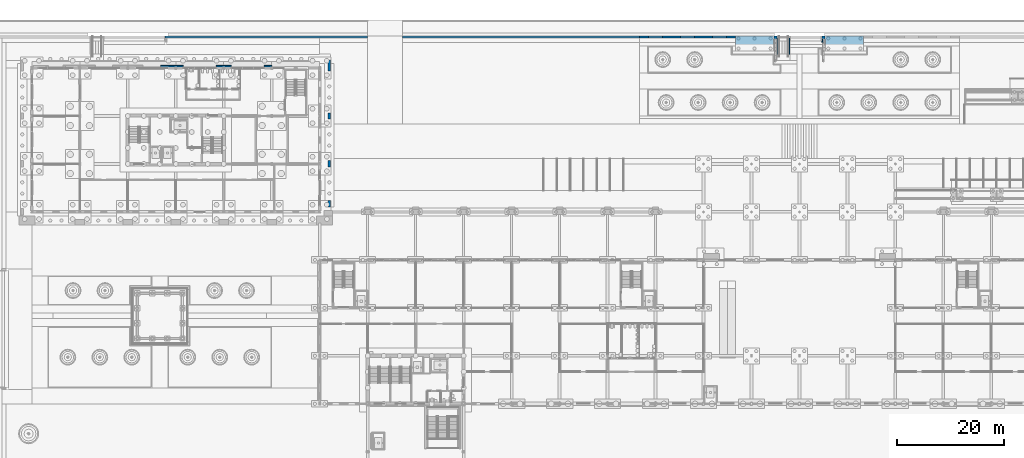
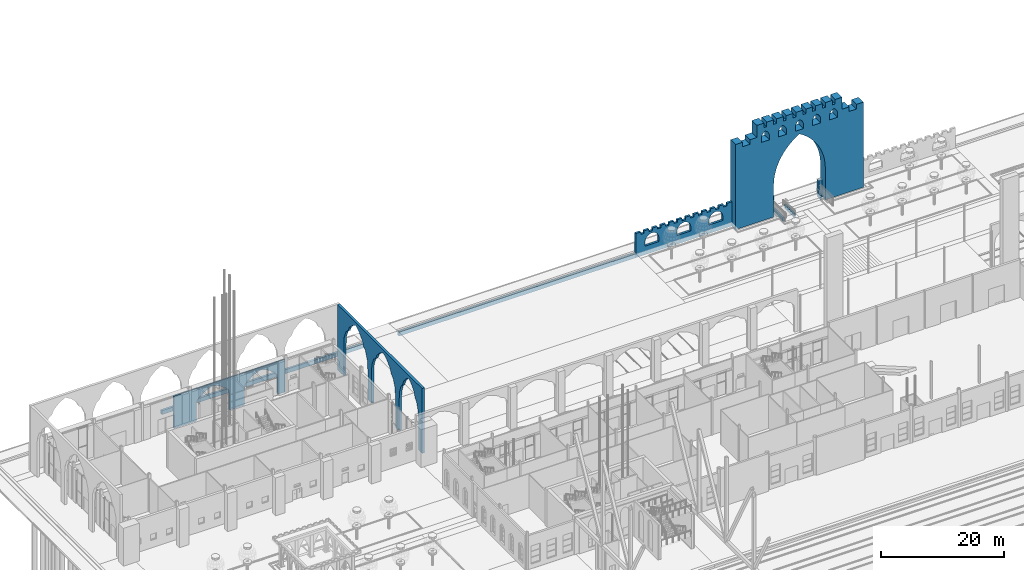
# One storey, part 138 of 250: 11 walls.
"""IFC4 building model written with IfcOpenShell, lengths in metres."""

from ifc_helpers import new_model, si_unit, direction, frame, frame_2d, origin, place, context, subcontext, project, spatial, polyline, rectangle, outline, extrude, material, layer, layer_set, type_object, element, save


model = new_model("IFC4")

# Units and contexts
model_context = context("Model", 3, precision=1e-05, world=origin(), true_north=direction((0.0, 1.0)))
body_context = subcontext(model_context, "Body", "Model", "MODEL_VIEW")
ifc_project = project(units=[si_unit("LENGTHUNIT", "METRE"), si_unit("AREAUNIT", "SQUARE_METRE"), si_unit("VOLUMEUNIT", "CUBIC_METRE"), si_unit("PLANEANGLEUNIT", "RADIAN"), si_unit("MASSUNIT", "GRAM", prefix="KILO")], contexts=[model_context])

# Site, building, storey
site_placement = place(None, origin())
site = spatial("IfcSite", under=ifc_project, at=site_placement, CompositionType="ELEMENT")
building_placement = place(site_placement, origin())
building = spatial("IfcBuilding", under=site, at=building_placement, Name="Baradari Gate Terminus", CompositionType="ELEMENT")
storey_placement = place(building_placement, origin())
storey = spatial("IfcBuildingStorey", under=building, at=storey_placement, Name="L00", CompositionType="ELEMENT", Elevation=0.0)

# Walls
ifc_material_1 = material(Name="Sandstone masonry", Category="masonry")
ifc_layer_1 = layer(ifc_material_1, 0.60009765625)
ifc_layer_set_1 = layer_set([ifc_layer_1], Name="Sandstone masonry")
wall_type_1 = type_object("IfcWallType", Name="Gate pier GP-1 600", PredefinedType="SOLIDWALL", material=ifc_layer_set_1)
for number, where, z_axis, x_axis, name in (
    (1, (148.199951171875, 149.699951171875, -0.800048828125), (0.0, 0.0, 1.0), (1.0, 0.0, 0.0), "Gate pier GN1 a"),
    (2, (157.199951171875, 149.699951171875, -0.800048828125), (0.0, 0.0, 1.0), (1.0, 0.0, 0.0), "Gate pier GN1 b"),
):
    element("IfcWall", number, at=place(storey_placement, frame(where, z_axis=z_axis, x_axis=x_axis)), inside=storey, type_object=wall_type_1, Name=name, PredefinedType="SOLIDWALL", context=body_context, shape_type="SweptSolid", body=[
        extrude(rectangle(XDim=0.60009765625, YDim=0.60009765625, at=frame_2d((0.300048828125, 0.0))), origin(), (0.0, 0.0, 1.0), 3.400146484375),
    ])
ifc_material_2 = material(Name="Laterite masonry", Category="masonry")
ifc_layer_2 = layer(ifc_material_2, 0.449951171875)
ifc_layer_set_2 = layer_set([ifc_layer_2], Name="Laterite masonry")
wall_type_2 = type_object("IfcWallType", Name="Laterite masonry pier WC-1 450", PredefinedType="SOLIDWALL", material=ifc_layer_set_2)
wall_1_placement = place(storey_placement, frame((64.800048828125, 117.949951171875, 0.0), z_axis=(0.0, 0.0, 1.0), x_axis=(0.0, 1.0, 0.0)))
element("IfcWall", 3, at=wall_1_placement, inside=storey, type_object=wall_type_2, Name="Operations block arcade east screen 1", PredefinedType="SOLIDWALL", context=body_context, shape_type="SweptSolid", body=[
    extrude(outline(polyline([(1.199951171875, 0.0), (1.199951171875, 6.0), (1.324951171875, 7.763916015625), (1.824951171875, 9.27587890625), (2.262451171875, 9.654052734375), (2.637451171875, 10.662109375), (3.449951171875, 11.669921875), (4.324951171875, 12.300048828125), (5.199951171875, 11.669921875), (6.012451171875, 10.662109375), (6.387451171875, 9.654052734375), (6.824951171875, 9.27587890625), (7.324951171875, 7.763916015625), (7.449951171875, 6.0), (7.449951171875, 0.0), (8.64990234375, 0.0), (8.64990234375, 6.0), (8.805908203125, 7.763916015625), (9.429931640625, 9.27587890625), (9.97607421875, 9.654052734375), (10.444091796875, 10.662109375), (11.4580078125, 11.669921875), (12.550048828125, 12.300048828125), (13.64208984375, 11.669921875), (14.656005859375, 10.662109375), (15.1240234375, 9.654052734375), (15.669921875, 9.27587890625), (16.2939453125, 7.763916015625), (16.449951171875, 6.0), (16.449951171875, 0.0), (17.64990234375, 0.0), (17.64990234375, 6.0), (17.805908203125, 7.763916015625), (18.429931640625, 9.27587890625), (18.97607421875, 9.654052734375), (19.444091796875, 10.662109375), (20.4580078125, 11.669921875), (21.550048828125, 12.300048828125), (22.64208984375, 11.669921875), (23.656005859375, 10.662109375), (24.1240234375, 9.654052734375), (24.669921875, 9.27587890625), (25.2939453125, 7.763916015625), (25.449951171875, 6.0), (25.449951171875, 0.0), (27.52490234375, 0.0), (27.52490234375, 12.89990234375), (0.0, 12.89990234375), (0.0, 0.0), (1.199951171875, 0.0)])), frame((0.0, 0.22509765625, 0.0), z_axis=(0.0, -1.0, 0.0), x_axis=(1.0, 0.0, 0.0)), (0.0, 0.0, 1.0), 0.449951171875),
])
ifc_material_3 = material(Name="Laterite masonry", Category="masonry")
ifc_layer_3 = layer(ifc_material_3, 0.25)
ifc_layer_set_3 = layer_set([ifc_layer_3], Name="Laterite masonry")
wall_type_3 = type_object("IfcWallType", Name="Laterite masonry wall WP-1 250", PredefinedType="SOLIDWALL", material=ifc_layer_set_3)
wall_2_placement = place(storey_placement, frame((33.14990234375, 144.35009765625, 0.0), z_axis=(0.0, 0.0, 1.0), x_axis=(1.0, 0.0, 0.0)))
element("IfcWall", 4, at=wall_2_placement, inside=storey, type_object=wall_type_3, Name="Operations block base front course 4", PredefinedType="SOLIDWALL", context=body_context, shape_type="SweptSolid", body=[
    extrude(outline(polyline([(4.25, 0.0), (4.25, 3.300048828125), (4.3740234375, 4.028076171875), (4.8701171875, 4.652099609375), (5.303955078125, 4.80810546875), (5.676025390625, 5.22412109375), (6.48193359375, 5.639892578125), (7.35009765625, 5.89990234375), (8.218017578125, 5.639892578125), (9.02392578125, 5.22412109375), (9.39599609375, 4.80810546875), (9.830078125, 4.652099609375), (10.325927734375, 4.028076171875), (10.449951171875, 3.300048828125), (10.449951171875, 0.0), (13.25, 0.0), (13.25, 3.300048828125), (13.3740234375, 4.028076171875), (13.8701171875, 4.652099609375), (14.303955078125, 4.80810546875), (14.676025390625, 5.22412109375), (15.48193359375, 5.639892578125), (16.35009765625, 5.89990234375), (17.218017578125, 5.639892578125), (18.02392578125, 5.22412109375), (18.39599609375, 4.80810546875), (18.830078125, 4.652099609375), (19.325927734375, 4.028076171875), (19.449951171875, 3.300048828125), (19.449951171875, 0.0), (20.85009765625, 0.0), (20.85009765625, 6.459716796875), (0.0, 6.459716796875), (0.0, 0.0), (4.25, 0.0)])), frame((0.0, 0.125, 0.0), z_axis=(0.0, -1.0, 0.0), x_axis=(1.0, 0.0, 0.0)), (0.0, 0.0, 1.0), 0.25),
])
ifc_material_4 = material(Name="Sandstone masonry", Category="masonry")
ifc_layer_4 = layer(ifc_material_4, 0.39990234375)
ifc_layer_set_4 = layer_set([ifc_layer_4], Name="Sandstone masonry")
wall_type_4 = type_object("IfcWallType", Name="Plinth retaining wall KW-1 400", PredefinedType="SOLIDWALL", material=ifc_layer_set_4)
wall_3_placement = place(storey_placement, frame((34.0, 149.800048828125, -0.800048828125), z_axis=(0.0, 0.0, 1.0), x_axis=(1.0, 0.0, 0.0)))
element("IfcWall", 5, at=wall_3_placement, inside=storey, type_object=wall_type_4, Name="Plinth retaining wall N2", PredefinedType="SOLIDWALL", context=body_context, shape_type="SweptSolid", body=[
    extrude(rectangle(XDim=38.0, YDim=0.39990234375, at=frame_2d((19.0, 0.0))), origin(), (0.0, 0.0, 1.0), 0.800048828125),
])
wall_4_placement = place(storey_placement, frame((78.5, 149.800048828125, -0.800048828125), z_axis=(0.0, 0.0, 1.0), x_axis=(1.0, 0.0, 0.0)))
element("IfcWall", 6, at=wall_4_placement, inside=storey, type_object=wall_type_4, Name="Plinth retaining wall N3a", PredefinedType="SOLIDWALL", context=body_context, shape_type="SweptSolid", body=[
    extrude(rectangle(XDim=44.5, YDim=0.39990234375, at=frame_2d((22.25, 0.0))), origin(), (0.0, 0.0, 1.0), 0.800048828125),
])
ifc_material_5 = material(Name="Sandstone masonry", Category="masonry")
ifc_layer_5 = layer(ifc_material_5, 0.300048828125)
ifc_layer_set_5 = layer_set([ifc_layer_5], Name="Sandstone masonry")
wall_type_5 = type_object("IfcWallType", Name="Retaining cheek wall KW-2 300", PredefinedType="SOLIDWALL", material=ifc_layer_set_5)
wall_5_placement = place(storey_placement, frame((157.35009765625, 148.800048828125, -0.800048828125), z_axis=(0.0, 0.0, 1.0), x_axis=(0.0, 1.0, 0.0)))
element("IfcWall", 7, at=wall_5_placement, inside=storey, type_object=wall_type_5, Name="Return wall Garden gate b", PredefinedType="SOLIDWALL", context=body_context, shape_type="SweptSolid", body=[
    extrude(rectangle(XDim=0.599853515625, YDim=0.300048828125, at=frame_2d((0.2998046875, 0.0))), origin(), (0.0, 0.0, 1.0), 0.800048828125),
])
for number, where, z_axis, x_axis, name in (
    (8, (148.949951171875, 146.580078125, -0.800048828125), (0.0, 0.0, 1.0), (0.0, 1.0, 0.0), "Ramp cheek wall Garden gate outer"),
    (9, (151.050048828125, 146.580078125, -0.800048828125), (0.0, 0.0, 1.0), (0.0, 1.0, 0.0), "Ramp cheek wall Garden gate inner"),
):
    element("IfcWall", number, at=place(storey_placement, frame(where, z_axis=z_axis, x_axis=x_axis)), inside=storey, type_object=wall_type_5, Name=name, PredefinedType="SOLIDWALL", context=body_context, shape_type="SweptSolid", body=[
        extrude(rectangle(XDim=3.119873046875, YDim=0.300048828125, at=frame_2d((1.56005859375, 0.0))), origin(), (0.0, 0.0, 1.0), 0.800048828125),
    ])
ifc_material_6 = material(Name="Concrete C40/50 precast", Category="concrete")
ifc_layer_6 = layer(ifc_material_6, 0.3)
ifc_material_7 = material(Name="Sandstone cladding", Category="masonry")
ifc_layer_7 = layer(ifc_material_7, 0.1)
ifc_layer_set_6 = layer_set([ifc_layer_6, ifc_layer_7], Name="Concrete C40/50 precast")
wall_type_6 = type_object("IfcWallType", Name="Sandstone-faced precast court screen WQ-3 400", PredefinedType="SOLIDWALL", material=ifc_layer_set_6)
wall_6_placement = place(storey_placement, frame((123.0, 149.800048828125, -0.800048828125), z_axis=(0.0, 0.0, 1.0), x_axis=(1.0, 0.0, 0.0)))
element("IfcWall", 10, at=wall_6_placement, inside=storey, type_object=wall_type_6, Name="Court screen wall 1 1", PredefinedType="SOLIDWALL", context=body_context, shape_type="SweptSolid", body=[
    extrude(outline(polyline([(17.10009765625, 4.800048828125), (17.10009765625, 4.300048828125), (16.445556640625, 4.300048828125), (16.445556640625, 4.800048828125), (15.54541015625, 4.800048828125), (15.54541015625, 4.300048828125), (14.890869140625, 4.300048828125), (14.890869140625, 4.800048828125), (13.990966796875, 4.800048828125), (13.990966796875, 4.300048828125), (13.33642578125, 4.300048828125), (13.33642578125, 4.800048828125), (12.436279296875, 4.800048828125), (12.436279296875, 4.300048828125), (11.78173828125, 4.300048828125), (11.78173828125, 4.800048828125), (10.8818359375, 4.800048828125), (10.8818359375, 4.300048828125), (10.227294921875, 4.300048828125), (10.227294921875, 4.800048828125), (9.327392578125, 4.800048828125), (9.327392578125, 4.300048828125), (8.672607421875, 4.300048828125), (8.672607421875, 4.800048828125), (7.772705078125, 4.800048828125), (7.772705078125, 4.300048828125), (7.1181640625, 4.300048828125), (7.1181640625, 4.800048828125), (6.21826171875, 4.800048828125), (6.21826171875, 4.300048828125), (5.563720703125, 4.300048828125), (5.563720703125, 4.800048828125), (4.66357421875, 4.800048828125), (4.66357421875, 4.300048828125), (4.009033203125, 4.300048828125), (4.009033203125, 4.800048828125), (3.109130859375, 4.800048828125), (3.109130859375, 4.300048828125), (2.45458984375, 4.300048828125), (2.45458984375, 4.800048828125), (1.554443359375, 4.800048828125), (1.554443359375, 4.300048828125), (0.89990234375, 4.300048828125), (0.89990234375, 4.800048828125), (0.0, 4.800048828125), (0.0, 0.0), (18.0, 0.0), (18.0, 4.800048828125), (17.10009765625, 4.800048828125)]), holes=[polyline([(1.743408203125, 2.8466796875), (1.797119140625, 3.01318359375), (1.87109375, 3.171630859375), (1.96435546875, 3.31982421875), (2.0751953125, 3.455322265625), (2.201904296875, 3.575927734375), (2.3427734375, 3.6796875), (2.49560546875, 3.76513671875), (2.65771484375, 3.8310546875), (2.82666015625, 3.876220703125), (3.0, 3.900146484375), (3.17333984375, 3.876220703125), (3.34228515625, 3.8310546875), (3.50439453125, 3.76513671875), (3.6572265625, 3.6796875), (3.798095703125, 3.575927734375), (3.9248046875, 3.455322265625), (4.03564453125, 3.31982421875), (4.12890625, 3.171630859375), (4.202880859375, 3.01318359375), (4.256591796875, 2.8466796875), (4.2890625, 2.674560546875), (4.300048828125, 2.5), (4.300048828125, 1.699951171875), (1.699951171875, 1.699951171875), (1.699951171875, 2.5), (1.7109375, 2.674560546875), (1.743408203125, 2.8466796875)]), polyline([(7.797119140625, 3.01318359375), (7.87109375, 3.171630859375), (7.96435546875, 3.31982421875), (8.0751953125, 3.455322265625), (8.201904296875, 3.575927734375), (8.3427734375, 3.6796875), (8.49560546875, 3.76513671875), (8.65771484375, 3.8310546875), (8.82666015625, 3.876220703125), (9.0, 3.900146484375), (9.17333984375, 3.876220703125), (9.34228515625, 3.8310546875), (9.50439453125, 3.76513671875), (9.6572265625, 3.6796875), (9.798095703125, 3.575927734375), (9.9248046875, 3.455322265625), (10.03564453125, 3.31982421875), (10.12890625, 3.171630859375), (10.202880859375, 3.01318359375), (10.256591796875, 2.8466796875), (10.2890625, 2.674560546875), (10.300048828125, 2.5), (10.300048828125, 1.699951171875), (7.699951171875, 1.699951171875), (7.699951171875, 2.5), (7.7109375, 2.674560546875), (7.743408203125, 2.8466796875), (7.797119140625, 3.01318359375)]), polyline([(13.743408203125, 2.8466796875), (13.797119140625, 3.01318359375), (13.87109375, 3.171630859375), (13.96435546875, 3.31982421875), (14.0751953125, 3.455322265625), (14.201904296875, 3.575927734375), (14.3427734375, 3.6796875), (14.49560546875, 3.76513671875), (14.65771484375, 3.8310546875), (14.82666015625, 3.876220703125), (15.0, 3.900146484375), (15.17333984375, 3.876220703125), (15.34228515625, 3.8310546875), (15.50439453125, 3.76513671875), (15.6572265625, 3.6796875), (15.798095703125, 3.575927734375), (15.9248046875, 3.455322265625), (16.03564453125, 3.31982421875), (16.12890625, 3.171630859375), (16.202880859375, 3.01318359375), (16.256591796875, 2.8466796875), (16.2890625, 2.674560546875), (16.300048828125, 2.5), (16.300048828125, 1.699951171875), (13.699951171875, 1.699951171875), (13.699951171875, 2.5), (13.7109375, 2.674560546875), (13.743408203125, 2.8466796875)])]), frame((0.0, 0.199951171875, 0.0), z_axis=(0.0, -1.0, 0.0), x_axis=(1.0, 0.0, 0.0)), (0.0, 0.0, 1.0), 0.39990234375),
])
ifc_layer_8 = layer(ifc_material_6, 1.5)
ifc_layer_9 = layer(ifc_material_7, 0.1)
ifc_layer_set_7 = layer_set([ifc_layer_8, ifc_layer_9], Name="Concrete C40/50 precast")
wall_type_7 = type_object("IfcWallType", Name="Sandstone-faced precast gate wall WQ-2 1600", PredefinedType="SOLIDWALL", material=ifc_layer_set_7)
wall_7_placement = place(storey_placement, frame((141.0, 149.195068359375, -0.800048828125), z_axis=(0.0, 0.0, 1.0), x_axis=(1.0, 0.0, 0.0)))
element("IfcWall", 11, at=wall_7_placement, inside=storey, type_object=wall_type_7, Name="Forecourt gate wall 1", PredefinedType="SOLIDWALL", context=body_context, shape_type="SweptSolid", body=[
    extrude(outline(polyline([(24.0, 16.900146484375), (22.699951171875, 16.900146484375), (22.699951171875, 16.0), (21.300048828125, 16.0), (21.300048828125, 16.900146484375), (20.0, 16.900146484375), (20.0, 19.300048828125), (18.699951171875, 19.300048828125), (18.699951171875, 18.400146484375), (18.16259765625, 18.400146484375), (18.16259765625, 19.300048828125), (16.862548828125, 19.300048828125), (16.862548828125, 18.400146484375), (16.324951171875, 18.400146484375), (16.324951171875, 19.300048828125), (15.02490234375, 19.300048828125), (15.02490234375, 18.400146484375), (14.487548828125, 18.400146484375), (14.487548828125, 19.300048828125), (13.1875, 19.300048828125), (13.1875, 18.400146484375), (12.64990234375, 18.400146484375), (12.64990234375, 19.300048828125), (11.35009765625, 19.300048828125), (11.35009765625, 18.400146484375), (10.8125, 18.400146484375), (10.8125, 19.300048828125), (9.512451171875, 19.300048828125), (9.512451171875, 18.400146484375), (8.97509765625, 18.400146484375), (8.97509765625, 19.300048828125), (7.675048828125, 19.300048828125), (7.675048828125, 18.400146484375), (7.137451171875, 18.400146484375), (7.137451171875, 19.300048828125), (5.83740234375, 19.300048828125), (5.83740234375, 18.400146484375), (5.300048828125, 18.400146484375), (5.300048828125, 19.300048828125), (4.0, 19.300048828125), (4.0, 16.900146484375), (2.699951171875, 16.900146484375), (2.699951171875, 16.0), (1.300048828125, 16.0), (1.300048828125, 16.900146484375), (0.0, 16.900146484375), (0.0, 0.0), (7.14990234375, 0.0), (7.14990234375, 6.300048828125), (7.186767578125, 7.15234375), (7.297119140625, 7.998046875), (7.47998046875, 8.831298828125), (7.73388671875, 9.6455078125), (8.0576171875, 10.434814453125), (8.44775390625, 11.193359375), (8.902099609375, 11.9150390625), (9.4169921875, 12.59521484375), (9.98876953125, 13.22802734375), (10.613037109375, 13.8095703125), (11.28515625, 14.334716796875), (12.0, 14.800048828125), (12.71484375, 14.334716796875), (13.386962890625, 13.8095703125), (14.01123046875, 13.22802734375), (14.5830078125, 12.59521484375), (15.097900390625, 11.9150390625), (15.55224609375, 11.193359375), (15.9423828125, 10.434814453125), (16.26611328125, 9.6455078125), (16.52001953125, 8.831298828125), (16.702880859375, 7.998046875), (16.813232421875, 7.15234375), (16.85009765625, 6.300048828125), (16.85009765625, 0.0), (24.0, 0.0), (24.0, 16.900146484375)]), holes=[polyline([(4.901611328125, 16.76806640625), (4.94140625, 16.8857421875), (4.991943359375, 16.999267578125), (5.052978515625, 17.107666015625), (5.12353515625, 17.209716796875), (5.20361328125, 17.304931640625), (5.2919921875, 17.392333984375), (5.387939453125, 17.470947265625), (5.490966796875, 17.54052734375), (5.60009765625, 17.60009765625), (5.708984375, 17.54052734375), (5.81201171875, 17.470947265625), (5.908203125, 17.392333984375), (5.99658203125, 17.304931640625), (6.076416015625, 17.209716796875), (6.147216796875, 17.107666015625), (6.2080078125, 16.999267578125), (6.258544921875, 16.8857421875), (6.29833984375, 16.76806640625), (6.326904296875, 16.647216796875), (6.34423828125, 16.524169921875), (6.35009765625, 16.400146484375), (6.35009765625, 15.60009765625), (4.85009765625, 15.60009765625), (4.85009765625, 16.400146484375), (4.855712890625, 16.524169921875), (4.873046875, 16.647216796875), (4.901611328125, 16.76806640625)]), polyline([(8.101806640625, 16.76806640625), (8.1416015625, 16.8857421875), (8.19189453125, 16.999267578125), (8.2529296875, 17.107666015625), (8.323486328125, 17.209716796875), (8.403564453125, 17.304931640625), (8.491943359375, 17.392333984375), (8.587890625, 17.470947265625), (8.69091796875, 17.54052734375), (8.800048828125, 17.60009765625), (8.908935546875, 17.54052734375), (9.011962890625, 17.470947265625), (9.108154296875, 17.392333984375), (9.196533203125, 17.304931640625), (9.2763671875, 17.209716796875), (9.34716796875, 17.107666015625), (9.407958984375, 16.999267578125), (9.45849609375, 16.8857421875), (9.498291015625, 16.76806640625), (9.52685546875, 16.647216796875), (9.544189453125, 16.524169921875), (9.550048828125, 16.400146484375), (9.550048828125, 15.60009765625), (8.050048828125, 15.60009765625), (8.050048828125, 16.400146484375), (8.055908203125, 16.524169921875), (8.072998046875, 16.647216796875), (8.101806640625, 16.76806640625)]), polyline([(11.3017578125, 16.76806640625), (11.341552734375, 16.8857421875), (11.39208984375, 16.999267578125), (11.452880859375, 17.107666015625), (11.523681640625, 17.209716796875), (11.603515625, 17.304931640625), (11.69189453125, 17.392333984375), (11.7880859375, 17.470947265625), (11.89111328125, 17.54052734375), (12.0, 17.60009765625), (12.10888671875, 17.54052734375), (12.2119140625, 17.470947265625), (12.30810546875, 17.392333984375), (12.396484375, 17.304931640625), (12.476318359375, 17.209716796875), (12.547119140625, 17.107666015625), (12.60791015625, 16.999267578125), (12.658447265625, 16.8857421875), (12.6982421875, 16.76806640625), (12.726806640625, 16.647216796875), (12.744140625, 16.524169921875), (12.75, 16.400146484375), (12.75, 15.60009765625), (11.25, 15.60009765625), (11.25, 16.400146484375), (11.255859375, 16.524169921875), (11.273193359375, 16.647216796875), (11.3017578125, 16.76806640625)]), polyline([(14.501708984375, 16.76806640625), (14.54150390625, 16.8857421875), (14.592041015625, 16.999267578125), (14.65283203125, 17.107666015625), (14.7236328125, 17.209716796875), (14.803466796875, 17.304931640625), (14.891845703125, 17.392333984375), (14.988037109375, 17.470947265625), (15.091064453125, 17.54052734375), (15.199951171875, 17.60009765625), (15.30908203125, 17.54052734375), (15.412109375, 17.470947265625), (15.508056640625, 17.392333984375), (15.596435546875, 17.304931640625), (15.676513671875, 17.209716796875), (15.7470703125, 17.107666015625), (15.80810546875, 16.999267578125), (15.8583984375, 16.8857421875), (15.898193359375, 16.76806640625), (15.927001953125, 16.647216796875), (15.944091796875, 16.524169921875), (15.949951171875, 16.400146484375), (15.949951171875, 15.60009765625), (14.449951171875, 15.60009765625), (14.449951171875, 16.400146484375), (14.455810546875, 16.524169921875), (14.47314453125, 16.647216796875), (14.501708984375, 16.76806640625)]), polyline([(17.70166015625, 16.76806640625), (17.741455078125, 16.8857421875), (17.7919921875, 16.999267578125), (17.852783203125, 17.107666015625), (17.923583984375, 17.209716796875), (18.00341796875, 17.304931640625), (18.091796875, 17.392333984375), (18.18798828125, 17.470947265625), (18.291015625, 17.54052734375), (18.39990234375, 17.60009765625), (18.509033203125, 17.54052734375), (18.612060546875, 17.470947265625), (18.7080078125, 17.392333984375), (18.79638671875, 17.304931640625), (18.87646484375, 17.209716796875), (18.947021484375, 17.107666015625), (19.008056640625, 16.999267578125), (19.05859375, 16.8857421875), (19.098388671875, 16.76806640625), (19.126953125, 16.647216796875), (19.144287109375, 16.524169921875), (19.14990234375, 16.400146484375), (19.14990234375, 15.60009765625), (17.64990234375, 15.60009765625), (17.64990234375, 16.400146484375), (17.65576171875, 16.524169921875), (17.673095703125, 16.647216796875), (17.70166015625, 16.76806640625)])]), frame((0.0, 0.800048828125, 0.0), z_axis=(0.0, -1.0, 0.0), x_axis=(1.0, 0.0, 0.0)), (0.0, 0.0, 1.0), 1.60009765625),
])

save(model, "model.ifc")
